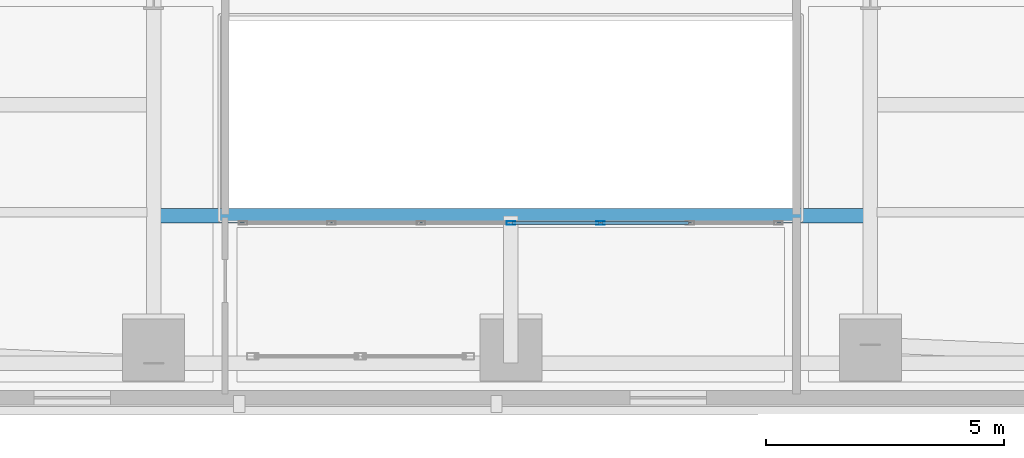
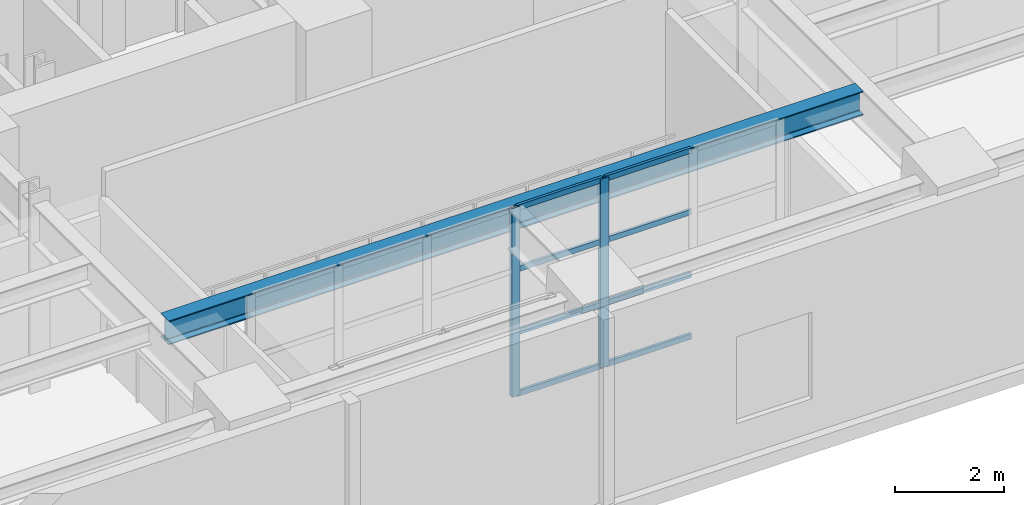
# One storey, part 3 of 14: 10 members, 1 beam, 1 element without a shape of its own.
"""IFC4 building model written with IfcOpenShell, lengths in metres."""

from ifc_helpers import new_model, si_unit, direction, frame, origin, origin_2d, place, context, subcontext, project, spatial, hollow_rectangle, i_section, extrude, material, layer, layer_set, material_profile, profile_set, type_object, element, aggregate, save


model = new_model("IFC4")

# Units and contexts
model_context = context("Model", 3, precision=1e-05, world=origin(), true_north=direction((0.0, 1.0)))
body_context = subcontext(model_context, "Body", "Model", "MODEL_VIEW")
ifc_project = project(units=[si_unit("LENGTHUNIT", "METRE"), si_unit("AREAUNIT", "SQUARE_METRE"), si_unit("VOLUMEUNIT", "CUBIC_METRE"), si_unit("PLANEANGLEUNIT", "RADIAN"), si_unit("MASSUNIT", "GRAM", prefix="KILO")], contexts=[model_context])

# Site, building, storey
site_placement = place(None, origin())
site = spatial("IfcSite", under=ifc_project, at=site_placement, CompositionType="ELEMENT")
building_placement = place(site_placement, origin())
building = spatial("IfcBuilding", under=site, at=building_placement, Name="Zarnavel Station Tower", CompositionType="ELEMENT")
storey_placement = place(building_placement, frame((0.0, 0.0, 89.800048828125)))
storey = spatial("IfcBuildingStorey", under=building, at=storey_placement, Name="L24", CompositionType="ELEMENT", Elevation=89.800048828125)

# Curtain wall, members
ifc_material_1 = material(Name="Aluminium Dark Anodised and Solar-Control Glass", Category="aluminium")
ifc_layer = layer(ifc_material_1, 0.179931640625)
ifc_layer_set = layer_set([ifc_layer], Name="CWS3")
curtain_wall_type = type_object("IfcCurtainWallType", Name="CWS3", PredefinedType="NOTDEFINED", material=ifc_layer_set)
curtain_wall_placement = place(storey_placement, origin())
curtain_wall = element("IfcCurtainWall", 1, at=curtain_wall_placement, inside=storey, type_object=curtain_wall_type, Name="L24 Curtain Wall CWS3-L24-AS", PredefinedType="NOTDEFINED")
ifc_material_2 = material(Name="Steel S355J2 (Black Fluoropolymer Coated)", Category="steel")
ifc_material_profile_1 = material_profile(ifc_material_2, hollow_rectangle(XDim=0.080078125, YDim=0.179931640625, WallThickness=0.00634765625, at=origin_2d()), Name="RHS180x80x6.3")
ifc_profile_set_1 = profile_set([ifc_material_profile_1], Name="Steel S355J2 (Black Fluoropolymer Coated)")
member_type_1 = type_object("IfcMemberType", Name="CWS3_MUL", PredefinedType="MULLION", material=ifc_profile_set_1)
member_1_placement = place(storey_placement, frame((28.800048828125, 20.64990234375, 0.0), z_axis=(0.0, 0.0, 1.0), x_axis=(0.0, 1.0, 0.0)))
member_1 = element("IfcMember", 2, at=member_1_placement, type_object=member_type_1, Name="CW3 mullion 4", PredefinedType="MULLION", context=body_context, shape_type="SweptSolid", body=[
    extrude(hollow_rectangle(XDim=0.080078125, YDim=0.179931640625, WallThickness=0.00634765625, at=origin_2d()), origin(), (0.0, 0.0, 1.0), 4.239990234375),
])
member_2_placement = place(storey_placement, frame((30.683349609375, 20.64990234375, 0.0), z_axis=(0.0, 0.0, 1.0), x_axis=(0.0, 1.0, 0.0)))
member_2 = element("IfcMember", 3, at=member_2_placement, type_object=member_type_1, Name="CW3 mullion 5", PredefinedType="MULLION", context=body_context, shape_type="SweptSolid", body=[
    extrude(hollow_rectangle(XDim=0.080078125, YDim=0.179931640625, WallThickness=0.00634765625, at=origin_2d()), origin(), (0.0, 0.0, 1.0), 4.239990234375),
])
ifc_material_3 = material(Name="Steel S355J2 (Black Fluoropolymer Coated)", Category="steel")
ifc_material_profile_2 = material_profile(ifc_material_3, hollow_rectangle(XDim=0.06005859375, YDim=0.1201171875, WallThickness=0.0048828125, at=origin_2d()), Name="RHS120x60x5")
ifc_profile_set_2 = profile_set([ifc_material_profile_2], Name="Steel S355J2 (Black Fluoropolymer Coated)")
member_type_2 = type_object("IfcMemberType", Name="CWS3_TRN", PredefinedType="USERDEFINED", material=ifc_profile_set_2)
member_3_placement = place(storey_placement, frame((28.830078125, 20.64990234375, 0.030029296875), z_axis=(1.0, 0.0, 0.0), x_axis=(0.0, 1.0, 0.0)))
member_3 = element("IfcMember", 4, at=member_3_placement, type_object=member_type_2, Name="CW3 transom 4.1", ObjectType="TRANSOM", PredefinedType="USERDEFINED", context=body_context, shape_type="SweptSolid", body=[
    extrude(hollow_rectangle(XDim=0.06005859375, YDim=0.1201171875, WallThickness=0.0048828125, at=origin_2d()), origin(), (0.0, 0.0, 1.0), 1.8232421875),
])
member_4_placement = place(storey_placement, frame((28.830078125, 20.64990234375, 1.413330078125), z_axis=(1.0, 0.0, 0.0), x_axis=(0.0, 1.0, 0.0)))
member_4 = element("IfcMember", 5, at=member_4_placement, type_object=member_type_2, Name="CW3 transom 4.2", ObjectType="TRANSOM", PredefinedType="USERDEFINED", context=body_context, shape_type="SweptSolid", body=[
    extrude(hollow_rectangle(XDim=0.06005859375, YDim=0.1201171875, WallThickness=0.0048828125, at=origin_2d()), origin(), (0.0, 0.0, 1.0), 1.8232421875),
])
member_5_placement = place(storey_placement, frame((28.830078125, 20.64990234375, 2.82666015625), z_axis=(1.0, 0.0, 0.0), x_axis=(0.0, 1.0, 0.0)))
member_5 = element("IfcMember", 6, at=member_5_placement, type_object=member_type_2, Name="CW3 transom 4.3", ObjectType="TRANSOM", PredefinedType="USERDEFINED", context=body_context, shape_type="SweptSolid", body=[
    extrude(hollow_rectangle(XDim=0.06005859375, YDim=0.1201171875, WallThickness=0.0048828125, at=origin_2d()), origin(), (0.0, 0.0, 1.0), 1.8232421875),
])
member_6_placement = place(storey_placement, frame((28.830078125, 20.64990234375, 4.2099609375), z_axis=(1.0, 0.0, 0.0), x_axis=(0.0, 1.0, 0.0)))
member_6 = element("IfcMember", 7, at=member_6_placement, type_object=member_type_2, Name="CW3 transom 4.4", ObjectType="TRANSOM", PredefinedType="USERDEFINED", context=body_context, shape_type="SweptSolid", body=[
    extrude(hollow_rectangle(XDim=0.06005859375, YDim=0.1201171875, WallThickness=0.0048828125, at=origin_2d()), origin(), (0.0, 0.0, 1.0), 1.8232421875),
])
member_7_placement = place(storey_placement, frame((30.71337890625, 20.64990234375, 0.030029296875), z_axis=(1.0, 0.0, 0.0), x_axis=(0.0, 1.0, 0.0)))
member_7 = element("IfcMember", 8, at=member_7_placement, type_object=member_type_2, Name="CW3 transom 5.1", ObjectType="TRANSOM", PredefinedType="USERDEFINED", context=body_context, shape_type="SweptSolid", body=[
    extrude(hollow_rectangle(XDim=0.06005859375, YDim=0.1201171875, WallThickness=0.0048828125, at=origin_2d()), origin(), (0.0, 0.0, 1.0), 1.8232421875),
])
member_8_placement = place(storey_placement, frame((30.71337890625, 20.64990234375, 1.413330078125), z_axis=(1.0, 0.0, 0.0), x_axis=(0.0, 1.0, 0.0)))
member_8 = element("IfcMember", 9, at=member_8_placement, type_object=member_type_2, Name="CW3 transom 5.2", ObjectType="TRANSOM", PredefinedType="USERDEFINED", context=body_context, shape_type="SweptSolid", body=[
    extrude(hollow_rectangle(XDim=0.06005859375, YDim=0.1201171875, WallThickness=0.0048828125, at=origin_2d()), origin(), (0.0, 0.0, 1.0), 1.8232421875),
])
member_9_placement = place(storey_placement, frame((30.71337890625, 20.64990234375, 2.82666015625), z_axis=(1.0, 0.0, 0.0), x_axis=(0.0, 1.0, 0.0)))
member_9 = element("IfcMember", 10, at=member_9_placement, type_object=member_type_2, Name="CW3 transom 5.3", ObjectType="TRANSOM", PredefinedType="USERDEFINED", context=body_context, shape_type="SweptSolid", body=[
    extrude(hollow_rectangle(XDim=0.06005859375, YDim=0.1201171875, WallThickness=0.0048828125, at=origin_2d()), origin(), (0.0, 0.0, 1.0), 1.8232421875),
])
member_10_placement = place(storey_placement, frame((30.71337890625, 20.64990234375, 4.2099609375), z_axis=(1.0, 0.0, 0.0), x_axis=(0.0, 1.0, 0.0)))
member_10 = element("IfcMember", 11, at=member_10_placement, type_object=member_type_2, Name="CW3 transom 5.4", ObjectType="TRANSOM", PredefinedType="USERDEFINED", context=body_context, shape_type="SweptSolid", body=[
    extrude(hollow_rectangle(XDim=0.06005859375, YDim=0.1201171875, WallThickness=0.0048828125, at=origin_2d()), origin(), (0.0, 0.0, 1.0), 1.8232421875),
])
aggregate(curtain_wall, [member_1, member_2, member_3, member_4, member_5, member_6, member_7, member_8, member_9, member_10])

# Beam
ifc_material_4 = material(Name="Steel S355J2", Category="steel")
ifc_material_profile_3 = material_profile(ifc_material_4, i_section(OverallWidth=0.300048828125, OverallDepth=0.5400390625, WebThickness=0.012451171875, FlangeThickness=0.02392578125, FilletRadius=0.027099609375, at=origin_2d()), Name="HEA550")
ifc_profile_set_3 = profile_set([ifc_material_profile_3], Name="Steel S355J2")
beam_type = type_object("IfcBeamType", Name="FB_HEA550", PredefinedType="BEAM", material=ifc_profile_set_3)
beam_placement = place(storey_placement, frame((21.445068359375, 20.800048828125, 3.969970703125), z_axis=(1.0, 0.0, 0.0), x_axis=(0.0, 1.0, 0.0)))
element("IfcBeam", 12, at=beam_placement, inside=storey, type_object=beam_type, Name="L24 Atrium South Edge Girder", PredefinedType="BEAM", context=body_context, shape_type="SweptSolid", body=[
    extrude(i_section(OverallWidth=0.300048828125, OverallDepth=0.5400390625, WebThickness=0.012451171875, FlangeThickness=0.02392578125, FilletRadius=0.027099609375, at=origin_2d()), origin(), (0.0, 0.0, 1.0), 14.760009765625),
])

save(model, "model.ifc")
